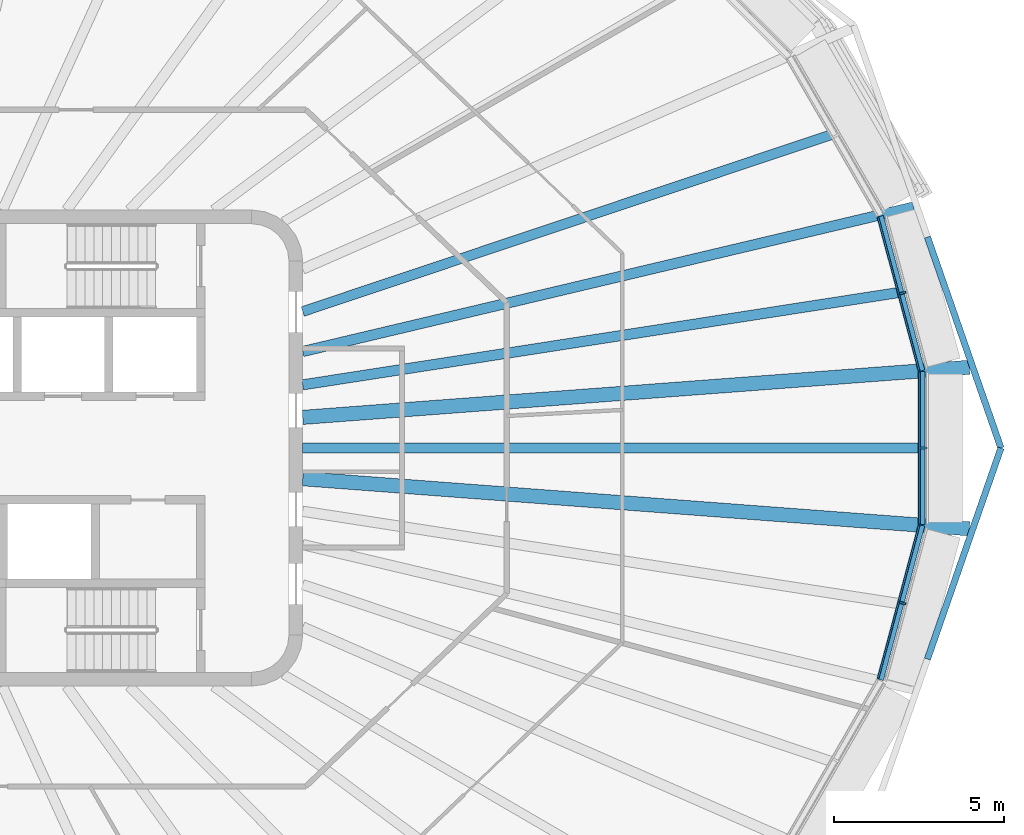
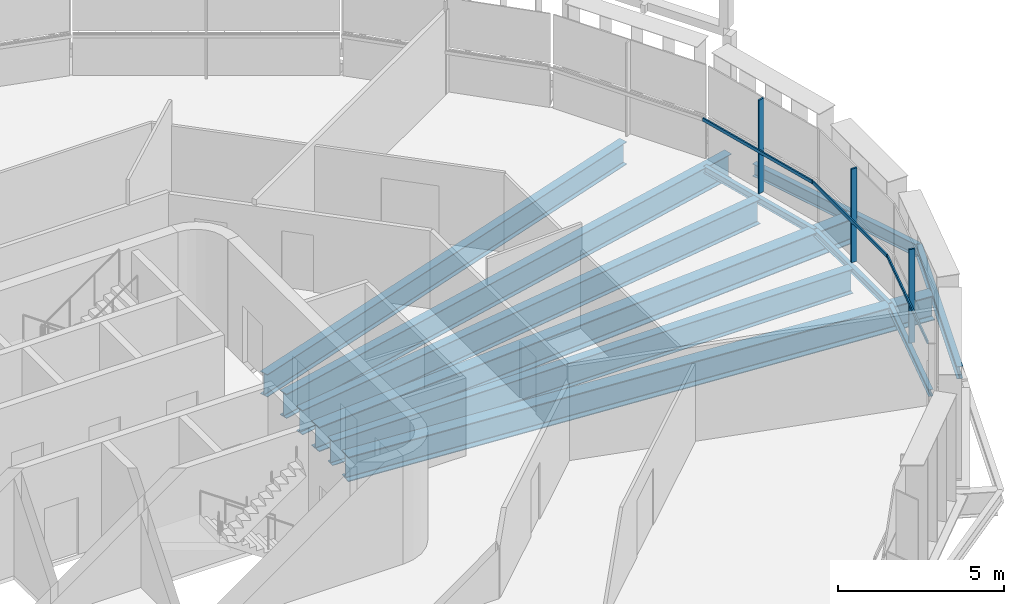
# One storey, part 5 of 20: 11 beams, 6 members, 3 elements without a shape of their own.
"""IFC4 building model written with IfcOpenShell, lengths in metres."""

from ifc_helpers import new_model, si_unit, direction, frame, origin, origin_2d, place, context, subcontext, project, spatial, rectangle, i_section, extrude, material, layer, layer_set, material_profile, profile_set, type_object, element, aggregate, save


model = new_model("IFC4")

# Units and contexts
model_context = context("Model", 3, precision=1e-05, world=origin(), true_north=direction((0.0, 1.0)))
body_context = subcontext(model_context, "Body", "Model", "MODEL_VIEW")
ifc_project = project(units=[si_unit("LENGTHUNIT", "METRE"), si_unit("AREAUNIT", "SQUARE_METRE"), si_unit("VOLUMEUNIT", "CUBIC_METRE"), si_unit("PLANEANGLEUNIT", "RADIAN"), si_unit("MASSUNIT", "GRAM", prefix="KILO")], contexts=[model_context])

# Site, building, storey
site_placement = place(None, origin())
site = spatial("IfcSite", under=ifc_project, at=site_placement, CompositionType="ELEMENT")
building_placement = place(site_placement, origin())
building = spatial("IfcBuilding", under=site, at=building_placement, Name="Sahrelin Media Tower", CompositionType="ELEMENT")
storey_placement = place(building_placement, frame((0.0, 0.0, 255.0)))
storey = spatial("IfcBuildingStorey", under=building, at=storey_placement, Name="L55", CompositionType="ELEMENT", Elevation=255.0)

# Beams
ifc_material_1 = material(Name="Steel S355", Category="steel")
ifc_material_profile_1 = material_profile(ifc_material_1, i_section(OverallWidth=0.14599609375, OverallDepth=0.25146484375, WebThickness=0.006103515625, FlangeThickness=0.008544921875, FilletRadius=0.007568359375, at=origin_2d()), Name="UB 254x146x31")
ifc_profile_set_1 = profile_set([ifc_material_profile_1], Name="Steel S355")
beam_type_1 = type_object("IfcBeamType", Name="Edge beam EB1", PredefinedType="BEAM", material=ifc_profile_set_1)
beam_1_placement = place(storey_placement, frame((30.226806640625, 2.248779296875, -0.275634765625), z_axis=(0.0, -1.0, 0.0), x_axis=(1.0, 0.0, 0.0)))
element("IfcBeam", 1, at=beam_1_placement, inside=storey, type_object=beam_type_1, Name="Edge beam L55-01", PredefinedType="BEAM", context=body_context, shape_type="SweptSolid", body=[
    extrude(i_section(OverallWidth=0.14599609375, OverallDepth=0.25146484375, WebThickness=0.006103515625, FlangeThickness=0.008544921875, FilletRadius=0.007568359375, at=origin_2d()), origin(), (0.0, 0.0, 1.0), 4.49755859375),
])
for number, where, z_axis, x_axis, name in (
    (2, (30.22314453125, -2.27734375, -0.275634765625), (-0.258812162656, -0.965927670409, 0.0), (0.965927670409, -0.258812162656, 0.0), "Edge beam L55-02"),
    (3, (29.00537109375, 6.822265625, -0.275634765625), (0.258812162656, -0.965927670409, 0.0), (0.965927670409, 0.258812162656, 0.0), "Edge beam L55-24"),
):
    element("IfcBeam", number, at=place(storey_placement, frame(where, z_axis=z_axis, x_axis=x_axis)), inside=storey, type_object=beam_type_1, Name=name, PredefinedType="BEAM", context=body_context, shape_type="SweptSolid", body=[
        extrude(i_section(OverallWidth=0.14599609375, OverallDepth=0.25146484375, WebThickness=0.006103515625, FlangeThickness=0.008544921875, FilletRadius=0.007568359375, at=origin_2d()), origin(), (0.0, 0.0, 1.0), 4.705322265625),
    ])

# Curtain wall, member
ifc_material_2 = material(Name="Champagne anodised aluminium 6063-T6", Category="aluminium")
ifc_layer = layer(ifc_material_2, 0.14990234375)
ifc_layer_set = layer_set([ifc_layer], Name="Tower ribbon curtain wall")
curtain_wall_type = type_object("IfcCurtainWallType", Name="Tower ribbon curtain wall", PredefinedType="NOTDEFINED", material=ifc_layer_set)
curtain_wall_1_placement = place(storey_placement, frame((30.376953125, 0.0, 0.0), z_axis=(0.0, 0.0, 1.0), x_axis=(1.0, 0.0, 0.0)))
curtain_wall_1 = element("IfcCurtainWall", 4, at=curtain_wall_1_placement, inside=storey, type_object=curtain_wall_type, Name="L55:CW:L55-00", PredefinedType="NOTDEFINED")
ifc_material_profile_2 = material_profile(ifc_material_2, rectangle(XDim=0.06005859375, YDim=0.199951171875, at=origin_2d()), Name="Mullion 60x200")
ifc_profile_set_2 = profile_set([ifc_material_profile_2], Name="Champagne anodised aluminium 6063-T6")
member_type_1 = type_object("IfcMemberType", Name="Mullion 60x200 CW1C", PredefinedType="MULLION", material=ifc_profile_set_2)
member_1_placement = place(storey_placement, frame((30.2568359375, 0.0, 0.0), z_axis=(0.0, 0.0, 1.0), x_axis=(0.0, 1.0, 0.0)))
member_1 = element("IfcMember", 5, at=member_1_placement, type_object=member_type_1, Name="L55:CWM:L55-00", PredefinedType="MULLION", context=body_context, shape_type="SweptSolid", body=[
    extrude(rectangle(XDim=0.06005859375, YDim=0.199951171875, at=origin_2d()), origin(), (0.0, 0.0, 1.0), 3.448486328125),
])

curtain_wall_2_placement = place(storey_placement, frame((29.759033203125, 4.588623046875, 0.0), z_axis=(0.0, 0.0, 1.0), x_axis=(1.0, 0.0, 0.0)))
curtain_wall_2 = element("IfcCurtainWall", 6, at=curtain_wall_2_placement, inside=storey, type_object=curtain_wall_type, Name="L55:CW:L55-01", PredefinedType="NOTDEFINED")
member_2_placement = place(storey_placement, frame((29.643310546875, 4.5576171875, 0.0), z_axis=(0.0, 0.0, 1.0), x_axis=(-0.258835903649, 0.965921308897, 0.0)))
member_2 = element("IfcMember", 7, at=member_2_placement, type_object=member_type_1, Name="L55:CWM:L55-01", PredefinedType="MULLION", context=body_context, shape_type="SweptSolid", body=[
    extrude(rectangle(XDim=0.06005859375, YDim=0.199951171875, at=origin_2d()), origin(), (0.0, 0.0, 1.0), 3.448486328125),
])

curtain_wall_3_placement = place(storey_placement, frame((29.759033203125, -4.588623046875, 0.0), z_axis=(0.0, 0.0, 1.0), x_axis=(1.0, 0.0, 0.0)))
curtain_wall_3 = element("IfcCurtainWall", 8, at=curtain_wall_3_placement, inside=storey, type_object=curtain_wall_type, Name="L55:CW:L55-23", PredefinedType="NOTDEFINED")
member_3_placement = place(storey_placement, frame((29.643310546875, -4.5576171875, 0.0), z_axis=(0.0, 0.0, 1.0), x_axis=(0.258835903649, 0.965921308897, 0.0)))
member_3 = element("IfcMember", 9, at=member_3_placement, type_object=member_type_1, Name="L55:CWM:L55-23", PredefinedType="MULLION", context=body_context, shape_type="SweptSolid", body=[
    extrude(rectangle(XDim=0.06005859375, YDim=0.199951171875, at=origin_2d()), origin(), (0.0, 0.0, 1.0), 3.448486328125),
])

# Beams
ifc_material_profile_3 = material_profile(ifc_material_1, i_section(OverallWidth=0.30322265625, OverallDepth=0.903076171875, WebThickness=0.01513671875, FlangeThickness=0.020263671875, FilletRadius=0.01904296875, at=origin_2d()), Name="UB 914x305x201")
ifc_profile_set_3 = profile_set([ifc_material_profile_3], Name="Steel S355")
beam_type_2 = type_object("IfcBeamType", Name="Radial primary beam PB11", PredefinedType="BEAM", material=ifc_profile_set_3)
beam_2_placement = place(storey_placement, frame((12.0, 2.8388671875, -0.6015625), z_axis=(0.973138948349, 0.230218563993, 0.0), x_axis=(-0.230218563993, 0.973138948349, 0.0)))
element("IfcBeam", 10, at=beam_2_placement, inside=storey, type_object=beam_type_2, Name="Radial beam L55-02", PredefinedType="BEAM", context=body_context, shape_type="SweptSolid", body=[
    extrude(i_section(OverallWidth=0.30322265625, OverallDepth=0.903076171875, WebThickness=0.01513671875, FlangeThickness=0.020263671875, FilletRadius=0.01904296875, at=origin_2d()), origin(), (0.0, 0.0, 1.0), 18.460693359375),
])
ifc_material_profile_4 = material_profile(ifc_material_1, i_section(OverallWidth=0.41845703125, OverallDepth=0.911865234375, WebThickness=0.019287109375, FlangeThickness=0.031982421875, FilletRadius=0.024169921875, at=origin_2d()), Name="UB 914x419x343")
ifc_profile_set_4 = profile_set([ifc_material_profile_4], Name="Steel S355")
beam_type_3 = type_object("IfcBeamType", Name="Radial primary beam PB12", PredefinedType="BEAM", material=ifc_profile_set_4)
for number, where, z_axis, x_axis, name in (
    (11, (12.0, 0.90185546875, -0.60595703125), (0.997187211375, 0.07495108719, 0.0), (-0.07495108719, 0.997187211375, 0.0), "Radial beam L55-01"),
    (12, (12.0, -0.90185546875, -0.60595703125), (0.997187211375, -0.07495108719, 0.0), (0.07495108719, 0.997187211375, 0.0), "Radial beam L55-24"),
):
    element("IfcBeam", number, at=place(storey_placement, frame(where, z_axis=z_axis, x_axis=x_axis)), inside=storey, type_object=beam_type_3, Name=name, PredefinedType="BEAM", context=body_context, shape_type="SweptSolid", body=[
        extrude(i_section(OverallWidth=0.41845703125, OverallDepth=0.911865234375, WebThickness=0.019287109375, FlangeThickness=0.031982421875, FilletRadius=0.024169921875, at=origin_2d()), origin(), (0.0, 0.0, 1.0), 19.661376953125),
    ])
ifc_material_profile_5 = material_profile(ifc_material_1, i_section(OverallWidth=0.291748046875, OverallDepth=0.8349609375, WebThickness=0.013916015625, FlangeThickness=0.018798828125, FilletRadius=0.017822265625, at=origin_2d()), Name="UB 838x292x176")
ifc_profile_set_5 = profile_set([ifc_material_profile_5], Name="Steel S355")
beam_type_4 = type_object("IfcBeamType", Name="Radial secondary beam SB10", PredefinedType="BEAM", material=ifc_profile_set_5)
beam_3_placement = place(storey_placement, frame((12.0, 4.014404296875, -0.5673828125), z_axis=(0.948335470531, 0.317269341935, 0.0), x_axis=(-0.317269341935, 0.948335470531, 0.0)))
element("IfcBeam", 13, at=beam_3_placement, inside=storey, type_object=beam_type_4, Name="Secondary beam L55-02", PredefinedType="BEAM", context=body_context, shape_type="SweptSolid", body=[
    extrude(i_section(OverallWidth=0.291748046875, OverallDepth=0.8349609375, WebThickness=0.013916015625, FlangeThickness=0.018798828125, FilletRadius=0.017822265625, at=origin_2d()), origin(), (0.0, 0.0, 1.0), 16.38134765625),
])
ifc_material_profile_6 = material_profile(ifc_material_1, i_section(OverallWidth=0.30322265625, OverallDepth=0.903076171875, WebThickness=0.01513671875, FlangeThickness=0.020263671875, FilletRadius=0.01904296875, at=origin_2d()), Name="UB 914x305x201")
ifc_profile_set_6 = profile_set([ifc_material_profile_6], Name="Steel S355")
beam_type_5 = type_object("IfcBeamType", Name="Radial secondary beam SB11", PredefinedType="BEAM", material=ifc_profile_set_6)
beam_4_placement = place(storey_placement, frame((12.0, 1.858642578125, -0.6015625), z_axis=(0.988217831214, 0.153053971101, 0.0), x_axis=(-0.153053971101, 0.988217831214, 0.0)))
element("IfcBeam", 14, at=beam_4_placement, inside=storey, type_object=beam_type_5, Name="Secondary beam L55-01", PredefinedType="BEAM", context=body_context, shape_type="SweptSolid", body=[
    extrude(i_section(OverallWidth=0.30322265625, OverallDepth=0.903076171875, WebThickness=0.01513671875, FlangeThickness=0.020263671875, FilletRadius=0.01904296875, at=origin_2d()), origin(), (0.0, 0.0, 1.0), 17.740966796875),
])
beam_5_placement = place(storey_placement, frame((12.0, 0.0, -0.6015625), z_axis=(1.0, 0.0, 0.0), x_axis=(0.0, 1.0, 0.0)))
element("IfcBeam", 15, at=beam_5_placement, inside=storey, type_object=beam_type_5, Name="Secondary beam L55-24", PredefinedType="BEAM", context=body_context, shape_type="SweptSolid", body=[
    extrude(i_section(OverallWidth=0.30322265625, OverallDepth=0.903076171875, WebThickness=0.01513671875, FlangeThickness=0.020263671875, FilletRadius=0.01904296875, at=origin_2d()), origin(), (0.0, 0.0, 1.0), 18.15380859375),
])
ifc_material_profile_7 = material_profile(ifc_material_1, i_section(OverallWidth=0.1904296875, OverallDepth=0.45703125, WebThickness=0.009033203125, FlangeThickness=0.014404296875, FilletRadius=0.01025390625, at=origin_2d()), Name="UB 457x191x74")
ifc_profile_set_7 = profile_set([ifc_material_profile_7], Name="Steel S355")
beam_type_6 = type_object("IfcBeamType", Name="Tie chord TC5", PredefinedType="BEAM", material=ifc_profile_set_7)
for number, where, z_axis, x_axis, name in (
    (16, (32.533935546875, 0.0, -0.37841796875), (-0.328829007, -0.94438947694, 0.0), (0.94438947694, -0.328829007, 0.0), "Tie chord L55-01"),
    (17, (30.373291015625, 6.205322265625, -0.37841796875), (0.328829007, -0.94438947694, 0.0), (0.94438947694, 0.328829007, 0.0), "Tie chord L55-24"),
):
    element("IfcBeam", number, at=place(storey_placement, frame(where, z_axis=z_axis, x_axis=x_axis)), inside=storey, type_object=beam_type_6, Name=name, PredefinedType="BEAM", context=body_context, shape_type="SweptSolid", body=[
        extrude(i_section(OverallWidth=0.1904296875, OverallDepth=0.45703125, WebThickness=0.009033203125, FlangeThickness=0.014404296875, FilletRadius=0.01025390625, at=origin_2d()), origin(), (0.0, 0.0, 1.0), 6.57080078125),
    ])

# Member
ifc_material_profile_8 = material_profile(ifc_material_2, rectangle(XDim=0.050048828125, YDim=0.1201171875, at=origin_2d()), Name="Transom 50x120")
ifc_profile_set_8 = profile_set([ifc_material_profile_8], Name="Champagne anodised aluminium 6063-T6")
member_type_2 = type_object("IfcMemberType", Name="Transom 50x120 CW1C", PredefinedType="USERDEFINED", material=ifc_profile_set_8)
member_4_placement = place(storey_placement, frame((30.1318359375, -2.233154296875, 1.60009765625), z_axis=(0.0, 1.0, 0.0), x_axis=(-1.0, 0.0, 0.0)))
member_4 = element("IfcMember", 18, at=member_4_placement, type_object=member_type_2, Name="L55:CWT:L55-00", ObjectType="TRANSOM", PredefinedType="USERDEFINED", context=body_context, shape_type="SweptSolid", body=[
    extrude(rectangle(XDim=0.050048828125, YDim=0.1201171875, at=origin_2d()), origin(), (0.0, 0.0, 1.0), 4.46630859375),
])

aggregate(curtain_wall_1, [member_1, member_4])

member_5_placement = place(storey_placement, frame((30.127197265625, 2.26806640625, 1.60009765625), z_axis=(-0.258836175674, 0.965921236003, 0.0), x_axis=(-0.965921236003, -0.258836175674, 0.0)))
member_5 = element("IfcMember", 19, at=member_5_placement, type_object=member_type_2, Name="L55:CWT:L55-01", ObjectType="TRANSOM", PredefinedType="USERDEFINED", context=body_context, shape_type="SweptSolid", body=[
    extrude(rectangle(XDim=0.050048828125, YDim=0.1201171875, at=origin_2d()), origin(), (0.0, 0.0, 1.0), 4.673583984375),
])

aggregate(curtain_wall_2, [member_2, member_5])

member_6_placement = place(storey_placement, frame((28.91748046875, -6.782470703125, 1.60009765625), z_axis=(0.258836175674, 0.965921236003, 0.0), x_axis=(-0.965921236003, 0.258836175674, 0.0)))
member_6 = element("IfcMember", 20, at=member_6_placement, type_object=member_type_2, Name="L55:CWT:L55-23", ObjectType="TRANSOM", PredefinedType="USERDEFINED", context=body_context, shape_type="SweptSolid", body=[
    extrude(rectangle(XDim=0.050048828125, YDim=0.1201171875, at=origin_2d()), origin(), (0.0, 0.0, 1.0), 4.673583984375),
])

aggregate(curtain_wall_3, [member_3, member_6])

save(model, "model.ifc")
